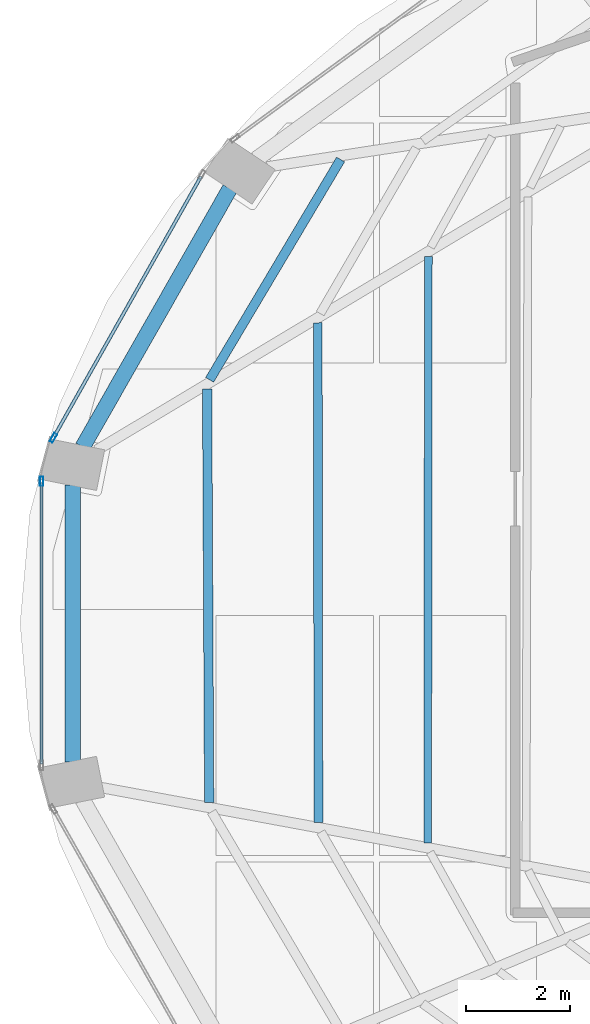
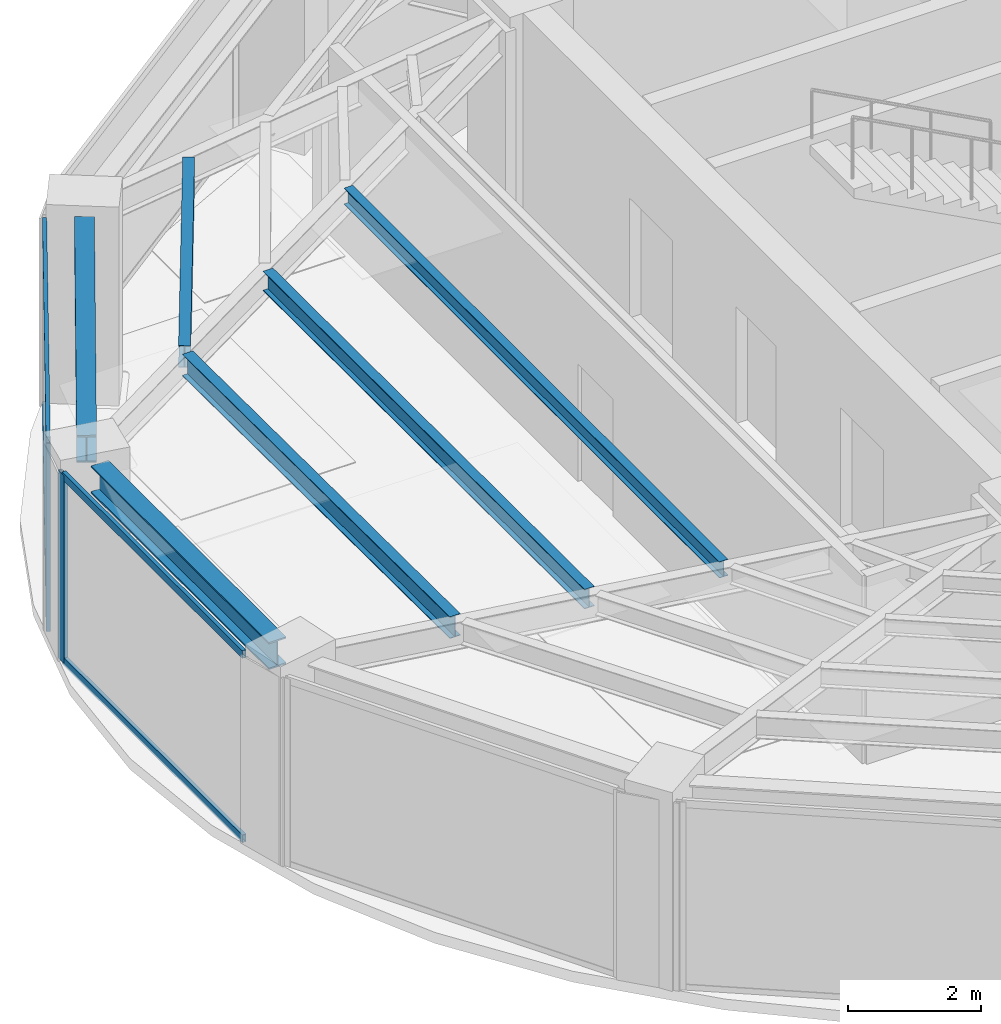
# One storey, part 8 of 22: 6 beams, 6 members, 2 elements without a shape of their own.
"""IFC4 building model written with IfcOpenShell, lengths in metres."""

from ifc_helpers import new_model, si_unit, direction, frame, origin, origin_2d, place, context, subcontext, project, spatial, hollow_rectangle, i_section, extrude, material, layer, layer_set, material_profile, profile_set, type_object, element, aggregate, save


model = new_model("IFC4")

# Units and contexts
model_context = context("Model", 3, precision=1e-05, world=origin(), true_north=direction((0.0, 1.0)))
body_context = subcontext(model_context, "Body", "Model", "MODEL_VIEW")
ifc_project = project(units=[si_unit("LENGTHUNIT", "METRE"), si_unit("AREAUNIT", "SQUARE_METRE"), si_unit("VOLUMEUNIT", "CUBIC_METRE"), si_unit("PLANEANGLEUNIT", "RADIAN"), si_unit("MASSUNIT", "GRAM", prefix="KILO")], contexts=[model_context])

# Site, building, storey
site_placement = place(None, origin())
site = spatial("IfcSite", under=ifc_project, at=site_placement, CompositionType="ELEMENT")
building_placement = place(site_placement, origin())
building = spatial("IfcBuilding", under=site, at=building_placement, Name="Lazwardi Medical Tower", CompositionType="ELEMENT")
storey_placement = place(building_placement, frame((0.0, 0.0, 255.02392578125)))
storey = spatial("IfcBuildingStorey", under=building, at=storey_placement, Name="L66", CompositionType="ELEMENT", Elevation=255.02392578125)

# Beams
ifc_material_1 = material(Name="Steel S355", Category="steel")
ifc_material_profile_1 = material_profile(ifc_material_1, i_section(OverallWidth=0.300048828125, OverallDepth=0.5, WebThickness=0.014404296875, FlangeThickness=0.028076171875, at=origin_2d()), Name="HEB 500")
ifc_profile_set_1 = profile_set([ifc_material_profile_1], Name="Steel S355")
beam_type_1 = type_object("IfcBeamType", Name="BM-RB-Z4", PredefinedType="BEAM", material=ifc_profile_set_1)
beam_1_placement = place(storey_placement, frame((17.84716796875, 33.983642578125, 3.197998046875), z_axis=(-0.495125273299, -0.868821594886, 0.0), x_axis=(0.868821594886, -0.495125273299, 0.0)))
element("IfcBeam", 1, at=beam_1_placement, inside=storey, type_object=beam_type_1, Name="Ring beam RB-05 B11 L66", PredefinedType="BEAM", context=body_context, shape_type="SweptSolid", body=[
    extrude(i_section(OverallWidth=0.300048828125, OverallDepth=0.5, WebThickness=0.014404296875, FlangeThickness=0.028076171875, at=origin_2d()), origin(), (0.0, 0.0, 1.0), 5.734130859375),
])
beam_2_placement = place(storey_placement, frame((14.81494140625, 28.27294921875, 3.197998046875), z_axis=(0.0, -1.0, 0.0), x_axis=(1.0, 0.0, 0.0)))
element("IfcBeam", 2, at=beam_2_placement, inside=storey, type_object=beam_type_1, Name="Ring beam RB-05 B12 L66", PredefinedType="BEAM", context=body_context, shape_type="SweptSolid", body=[
    extrude(i_section(OverallWidth=0.300048828125, OverallDepth=0.5, WebThickness=0.014404296875, FlangeThickness=0.028076171875, at=origin_2d()), origin(), (0.0, 0.0, 1.0), 5.345947265625),
])
ifc_material_profile_2 = material_profile(ifc_material_1, i_section(OverallWidth=0.179931640625, OverallDepth=0.39990234375, WebThickness=0.008544921875, FlangeThickness=0.013427734375, at=origin_2d()), Name="IPE 400")
ifc_profile_set_2 = profile_set([ifc_material_profile_2], Name="Steel S355")
beam_type_2 = type_object("IfcBeamType", Name="BM-SJ-01", PredefinedType="JOIST", material=ifc_profile_set_2)
beam_3_placement = place(storey_placement, frame((19.98095703125, 34.544921875, 3.248046875), z_axis=(-0.510967866251, -0.859599813668, 0.0), x_axis=(0.859599813668, -0.510967866251, 0.0)))
element("IfcBeam", 3, at=beam_3_placement, inside=storey, type_object=beam_type_2, Name="Secondary joist SJ-01 R1 B11 L66", PredefinedType="JOIST", context=body_context, shape_type="SweptSolid", body=[
    extrude(i_section(OverallWidth=0.179931640625, OverallDepth=0.39990234375, WebThickness=0.008544921875, FlangeThickness=0.013427734375, at=origin_2d()), origin(), (0.0, 0.0, 1.0), 4.94189453125),
])
beam_4_placement = place(storey_placement, frame((17.407958984375, 30.120361328125, 3.248046875), z_axis=(0.004929366644, -0.999987850598, 0.0), x_axis=(0.999987850598, 0.004929366644, 0.0)))
element("IfcBeam", 4, at=beam_4_placement, inside=storey, type_object=beam_type_2, Name="Secondary joist SJ-01 R1 B12 L66", PredefinedType="JOIST", context=body_context, shape_type="SweptSolid", body=[
    extrude(i_section(OverallWidth=0.179931640625, OverallDepth=0.39990234375, WebThickness=0.008544921875, FlangeThickness=0.013427734375, at=origin_2d()), origin(), (0.0, 0.0, 1.0), 7.973876953125),
])
ifc_material_profile_3 = material_profile(ifc_material_1, i_section(OverallWidth=0.169921875, OverallDepth=0.360107421875, WebThickness=0.008056640625, FlangeThickness=0.0126953125, at=origin_2d()), Name="IPE 360")
ifc_profile_set_3 = profile_set([ifc_material_profile_3], Name="Steel S355")
beam_type_3 = type_object("IfcBeamType", Name="BM-SJ-02", PredefinedType="JOIST", material=ifc_profile_set_3)
beam_5_placement = place(storey_placement, frame((19.541015625, 31.397705078125, 3.26806640625), z_axis=(0.001367606673, -0.999999064826, 0.0), x_axis=(0.999999064826, 0.001367606673, 0.0)))
element("IfcBeam", 5, at=beam_5_placement, inside=storey, type_object=beam_type_3, Name="Secondary joist SJ-02 R2 B12 L66", PredefinedType="JOIST", context=body_context, shape_type="SweptSolid", body=[
    extrude(i_section(OverallWidth=0.169921875, OverallDepth=0.360107421875, WebThickness=0.008056640625, FlangeThickness=0.0126953125, at=origin_2d()), origin(), (0.0, 0.0, 1.0), 9.639892578125),
])
ifc_material_profile_4 = material_profile(ifc_material_1, i_section(OverallWidth=0.14990234375, OverallDepth=0.300048828125, WebThickness=0.007080078125, FlangeThickness=0.0107421875, at=origin_2d()), Name="IPE 300")
ifc_profile_set_4 = profile_set([ifc_material_profile_4], Name="Steel S355")
beam_type_4 = type_object("IfcBeamType", Name="BM-SJ-03", PredefinedType="JOIST", material=ifc_profile_set_4)
beam_6_placement = place(storey_placement, frame((21.674072265625, 32.67529296875, 3.298095703125), z_axis=(-0.001166079235, -0.999999320129, 0.0), x_axis=(0.999999320129, -0.001166079235, 0.0)))
element("IfcBeam", 6, at=beam_6_placement, inside=storey, type_object=beam_type_4, Name="Secondary joist SJ-03 R3 B12 L66", PredefinedType="JOIST", context=body_context, shape_type="SweptSolid", body=[
    extrude(i_section(OverallWidth=0.14990234375, OverallDepth=0.300048828125, WebThickness=0.007080078125, FlangeThickness=0.0107421875, at=origin_2d()), origin(), (0.0, 0.0, 1.0), 11.305908203125),
])

# Curtain wall, member
ifc_material_2 = material(Name="Anodised bronze aluminium and solar control glazing", Category="aluminium")
ifc_layer = layer(ifc_material_2, 0.18994140625)
ifc_layer_set = layer_set([ifc_layer], Name="Anodised bronze aluminium and solar control glazing")
curtain_wall_type = type_object("IfcCurtainWallType", Name="CW-SYS-04", PredefinedType="NOTDEFINED", material=ifc_layer_set)
curtain_wall_1_placement = place(storey_placement, origin())
curtain_wall_1 = element("IfcCurtainWall", 7, at=curtain_wall_1_placement, inside=storey, type_object=curtain_wall_type, Name="L66 Unitised bronze curtain wall CW-04", PredefinedType="NOTDEFINED")
ifc_material_3 = material(Name="Anodised bronze aluminium", Category="aluminium")
ifc_material_profile_5 = material_profile(ifc_material_3, hollow_rectangle(XDim=0.06494140625, YDim=0.179931640625, WallThickness=0.00390625, at=origin_2d()), Name="ALU-MULLION 180x65x4")
ifc_profile_set_5 = profile_set([ifc_material_profile_5], Name="Anodised bronze aluminium")
member_type_1 = type_object("IfcMemberType", Name="CW-MUL-03", PredefinedType="MULLION", material=ifc_profile_set_5)
member_1_placement = place(storey_placement, frame((14.442626953125, 29.17822265625, 0.0), z_axis=(0.0, 0.0, 1.0), x_axis=(0.870651436011, -0.491900474661, 0.0)))
member_1 = element("IfcMember", 8, at=member_1_placement, type_object=member_type_1, Name="CW-04 mullion 2", PredefinedType="MULLION", context=body_context, shape_type="SweptSolid", body=[
    extrude(hollow_rectangle(XDim=0.06494140625, YDim=0.179931640625, WallThickness=0.00390625, at=origin_2d()), origin(), (0.0, 0.0, 1.0), 3.447998046875),
])

curtain_wall_2_placement = place(storey_placement, origin())
curtain_wall_2 = element("IfcCurtainWall", 9, at=curtain_wall_2_placement, inside=storey, type_object=curtain_wall_type, Name="L66 Unitised bronze curtain wall CW-04", PredefinedType="NOTDEFINED")
member_2_placement = place(storey_placement, frame((14.2158203125, 28.340576171875, 0.0), z_axis=(0.0, 0.0, 1.0), x_axis=(1.0, 0.0, 0.0)))
member_2 = element("IfcMember", 10, at=member_2_placement, type_object=member_type_1, Name="CW-04 mullion 1", PredefinedType="MULLION", context=body_context, shape_type="SweptSolid", body=[
    extrude(hollow_rectangle(XDim=0.06494140625, YDim=0.179931640625, WallThickness=0.00390625, at=origin_2d()), origin(), (0.0, 0.0, 1.0), 3.447998046875),
])

# Member
ifc_material_profile_6 = material_profile(ifc_material_3, hollow_rectangle(XDim=0.06494140625, YDim=0.139892578125, WallThickness=0.00341796875, at=origin_2d()), Name="ALU-TRANSOM 140x65x3.5")
ifc_profile_set_6 = profile_set([ifc_material_profile_6], Name="Anodised bronze aluminium")
member_type_2 = type_object("IfcMemberType", Name="CW-TRN-03", PredefinedType="USERDEFINED", material=ifc_profile_set_6)
member_3_placement = place(storey_placement, frame((17.28955078125, 34.21728515625, 0.032470703125), z_axis=(-0.491879719484, -0.87066316194, 0.0), x_axis=(0.87066316194, -0.491879719484, 0.0)))
member_3 = element("IfcMember", 11, at=member_3_placement, type_object=member_type_2, Name="CW-04 transom 1.1", ObjectType="TRANSOM", PredefinedType="USERDEFINED", context=body_context, shape_type="SweptSolid", body=[
    extrude(hollow_rectangle(XDim=0.06494140625, YDim=0.139892578125, WallThickness=0.00341796875, at=origin_2d()), origin(), (0.0, 0.0, 1.0), 5.755126953125),
])

member_4_placement = place(storey_placement, frame((17.28955078125, 34.21728515625, 3.41552734375), z_axis=(-0.491879719484, -0.87066316194, 0.0), x_axis=(0.87066316194, -0.491879719484, 0.0)))
member_4 = element("IfcMember", 12, at=member_4_placement, type_object=member_type_2, Name="CW-04 transom 1.2", ObjectType="TRANSOM", PredefinedType="USERDEFINED", context=body_context, shape_type="SweptSolid", body=[
    extrude(hollow_rectangle(XDim=0.06494140625, YDim=0.139892578125, WallThickness=0.00341796875, at=origin_2d()), origin(), (0.0, 0.0, 1.0), 5.755126953125),
])

aggregate(curtain_wall_1, [member_1, member_3, member_4])

member_5_placement = place(storey_placement, frame((14.2158203125, 28.30810546875, 0.032470703125), z_axis=(0.0, -1.0, 0.0), x_axis=(1.0, 0.0, 0.0)))
member_5 = element("IfcMember", 13, at=member_5_placement, type_object=member_type_2, Name="CW-04 transom 1.1", ObjectType="TRANSOM", PredefinedType="USERDEFINED", context=body_context, shape_type="SweptSolid", body=[
    extrude(hollow_rectangle(XDim=0.06494140625, YDim=0.139892578125, WallThickness=0.00341796875, at=origin_2d()), origin(), (0.0, 0.0, 1.0), 5.416015625),
])

member_6_placement = place(storey_placement, frame((14.2158203125, 28.30810546875, 3.41552734375), z_axis=(0.0, -1.0, 0.0), x_axis=(1.0, 0.0, 0.0)))
member_6 = element("IfcMember", 14, at=member_6_placement, type_object=member_type_2, Name="CW-04 transom 1.2", ObjectType="TRANSOM", PredefinedType="USERDEFINED", context=body_context, shape_type="SweptSolid", body=[
    extrude(hollow_rectangle(XDim=0.06494140625, YDim=0.139892578125, WallThickness=0.00341796875, at=origin_2d()), origin(), (0.0, 0.0, 1.0), 5.416015625),
])

aggregate(curtain_wall_2, [member_2, member_5, member_6])

save(model, "model.ifc")
